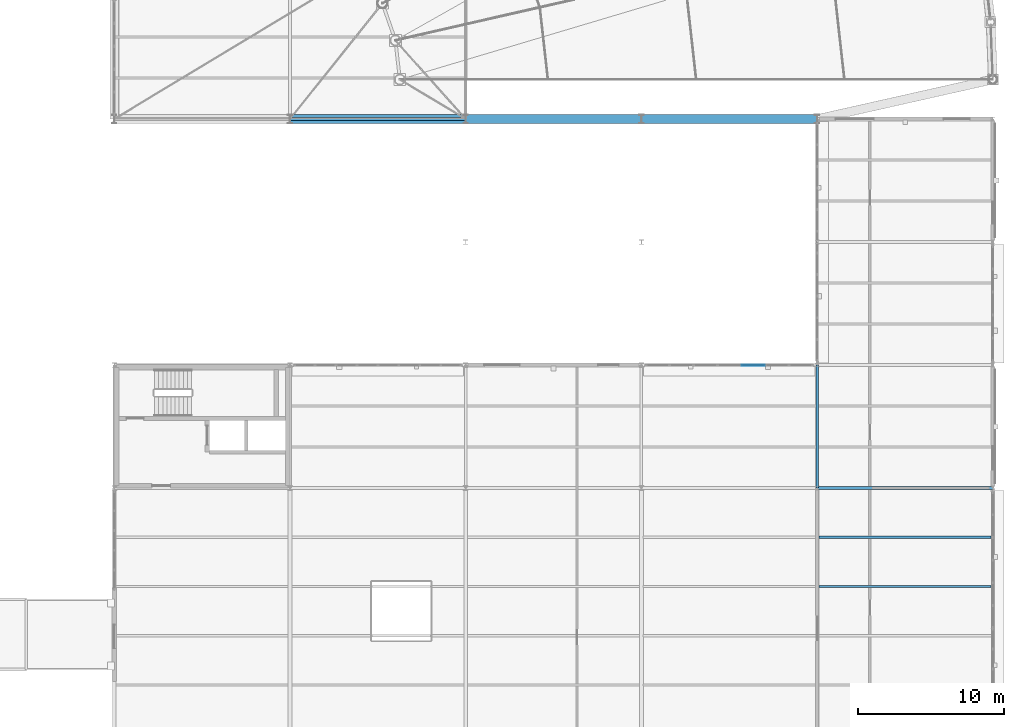
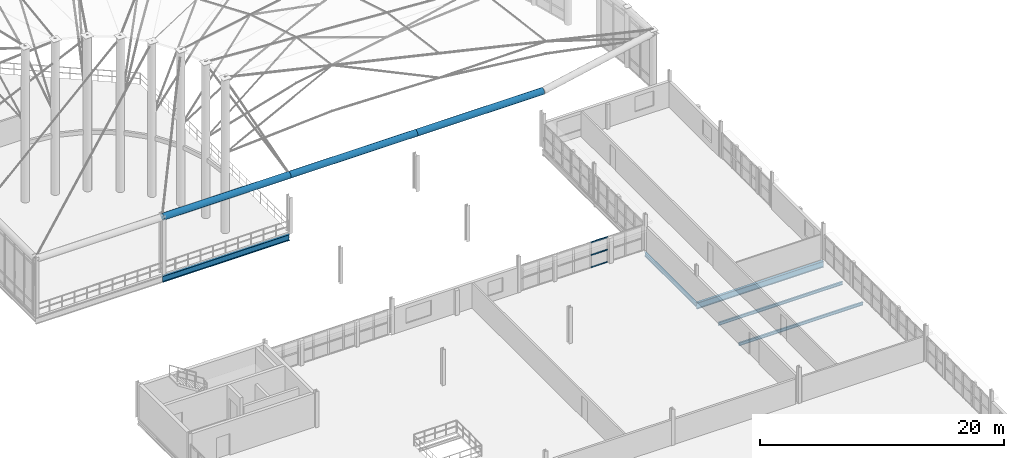
# One storey, part 52 of 101: 8 beams, 3 members, 1 element without a shape of its own.
"""IFC4 building model written with IfcOpenShell, lengths in metres."""

from ifc_helpers import new_model, si_unit, direction, frame, origin, origin_2d, place, context, subcontext, project, spatial, rectangle, hollow_circle, i_section, extrude, material, layer, layer_set, material_profile, profile_set, type_object, element, aggregate, save


model = new_model("IFC4")

# Units and contexts
model_context = context("Model", 3, precision=1e-05, world=origin(), true_north=direction((0.0, 1.0)))
body_context = subcontext(model_context, "Body", "Model", "MODEL_VIEW")
ifc_project = project(units=[si_unit("LENGTHUNIT", "METRE"), si_unit("AREAUNIT", "SQUARE_METRE"), si_unit("VOLUMEUNIT", "CUBIC_METRE"), si_unit("PLANEANGLEUNIT", "RADIAN"), si_unit("MASSUNIT", "GRAM", prefix="KILO"), si_unit("THERMODYNAMICTEMPERATUREUNIT", "KELVIN"), si_unit("POWERUNIT", "WATT")], contexts=[model_context])

# Site, building, storey
site_placement = place(None, origin())
site = spatial("IfcSite", under=ifc_project, at=site_placement, CompositionType="ELEMENT")
building_placement = place(site_placement, origin())
building = spatial("IfcBuilding", under=site, at=building_placement, Name="Tembeka Court Mobility Hub", CompositionType="ELEMENT")
storey_placement = place(building_placement, frame((0.0, 0.0, 5.39990234375)))
storey = spatial("IfcBuildingStorey", under=building, at=storey_placement, Name="L01", CompositionType="ELEMENT", Elevation=5.39990234375)

# Beams
ifc_material_1 = material(Name="Steel S355", Category="steel")
ifc_material_profile_1 = material_profile(ifc_material_1, i_section(OverallWidth=0.177978515625, OverallDepth=0.406005859375, WebThickness=0.0078125, FlangeThickness=0.0126953125, FilletRadius=0.01025390625, at=origin_2d()), Name="UKB 406x178x60")
ifc_profile_set_1 = profile_set([ifc_material_profile_1], Name="Steel S355")
beam_type_1 = type_object("IfcBeamType", Name="BM-B02", PredefinedType="BEAM", material=ifc_profile_set_1)
beam_placement = place(storey_placement, frame((164.39990234375, 38.39990234375, -0.392822265625), z_axis=(0.0, 1.0, 0.0), x_axis=(-1.0, 0.0, 0.0)))
element("IfcBeam", 1, at=beam_placement, inside=storey, type_object=beam_type_1, Name="Beam B02 (BM-L01-Y0902)", PredefinedType="BEAM", context=body_context, shape_type="SweptSolid", body=[
    extrude(i_section(OverallWidth=0.177978515625, OverallDepth=0.406005859375, WebThickness=0.0078125, FlangeThickness=0.0126953125, FilletRadius=0.01025390625, at=origin_2d()), origin(), (0.0, 0.0, 1.0), 8.400146484375),
])
ifc_material_profile_2 = material_profile(ifc_material_1, i_section(OverallWidth=0.22900390625, OverallDepth=0.612060546875, WebThickness=0.011962890625, FlangeThickness=0.01953125, FilletRadius=0.0126953125, at=origin_2d()), Name="UKB 610x229x125")
ifc_profile_set_2 = profile_set([ifc_material_profile_2], Name="Steel S355")
beam_type_2 = type_object("IfcBeamType", Name="BM-G02", PredefinedType="USERDEFINED", material=ifc_profile_set_2)
for number, where, z_axis, x_axis, name in (
    (2, (164.39990234375, 38.39990234375, -0.495849609375), (1.0, 0.0, 0.0), (0.0, 1.0, 0.0), "Beam G02 (BM-L01-X0664)"),
    (3, (128.39990234375, 63.60009765625, -0.495849609375), (1.0, 0.0, 0.0), (0.0, 1.0, 0.0), "Beam G02 (BM-L01-X0703)"),
):
    element("IfcBeam", number, at=place(storey_placement, frame(where, z_axis=z_axis, x_axis=x_axis)), inside=storey, type_object=beam_type_2, Name=name, ObjectType="GIRDER", PredefinedType="USERDEFINED", context=body_context, shape_type="SweptSolid", body=[
        extrude(i_section(OverallWidth=0.22900390625, OverallDepth=0.612060546875, WebThickness=0.011962890625, FlangeThickness=0.01953125, FilletRadius=0.0126953125, at=origin_2d()), origin(), (0.0, 0.0, 1.0), 12.0),
    ])
ifc_material_profile_3 = material_profile(ifc_material_1, i_section(OverallWidth=0.14990234375, OverallDepth=0.300048828125, WebThickness=0.007080078125, FlangeThickness=0.0107421875, FilletRadius=0.014892578125, at=origin_2d()), Name="IPE 300")
ifc_profile_set_3 = profile_set([ifc_material_profile_3], Name="Steel S355")
beam_type_3 = type_object("IfcBeamType", Name="BM-J04", PredefinedType="JOIST", material=ifc_profile_set_3)
for number, where, z_axis, x_axis, name in (
    (4, (164.52197265625, 31.679931640625, -0.33984375), (1.0, 0.0, 0.0), (0.0, 1.0, 0.0), "Beam J04 (JST-L01-1162)"),
    (5, (164.52197265625, 35.0400390625, -0.33984375), (1.0, 0.0, 0.0), (0.0, 1.0, 0.0), "Beam J04 (JST-L01-1163)"),
):
    element("IfcBeam", number, at=place(storey_placement, frame(where, z_axis=z_axis, x_axis=x_axis)), inside=storey, type_object=beam_type_3, Name=name, PredefinedType="JOIST", context=body_context, shape_type="SweptSolid", body=[
        extrude(i_section(OverallWidth=0.14990234375, OverallDepth=0.300048828125, WebThickness=0.007080078125, FlangeThickness=0.0107421875, FilletRadius=0.014892578125, at=origin_2d()), origin(), (0.0, 0.0, 1.0), 11.756103515625),
    ])
ifc_material_profile_4 = material_profile(ifc_material_1, hollow_circle(Radius=0.304931640625, WallThickness=0.02001953125, at=origin_2d()), Name="CHS 610x20")
ifc_profile_set_4 = profile_set([ifc_material_profile_4], Name="Steel S355")
beam_type_4 = type_object("IfcBeamType", Name="BM-RB01", PredefinedType="BEAM", material=ifc_profile_set_4)
for number, where, z_axis, x_axis, name in (
    (6, (128.39990234375, 63.60009765625, 5.695068359375), (1.0, 0.0, 0.0), (0.0, 1.0, 0.0), "Concourse inner chord ring beam RB01-CH09"),
    (7, (140.39990234375, 63.60009765625, 5.695068359375), (1.0, 0.0, 0.0), (0.0, 1.0, 0.0), "Concourse inner chord ring beam RB01-CH10"),
    (8, (152.39990234375, 63.60009765625, 5.695068359375), (1.0, 0.0, 0.0), (0.0, 1.0, 0.0), "Concourse inner chord ring beam RB01-CH11"),
):
    element("IfcBeam", number, at=place(storey_placement, frame(where, z_axis=z_axis, x_axis=x_axis)), inside=storey, type_object=beam_type_4, Name=name, PredefinedType="BEAM", context=body_context, shape_type="SweptSolid", body=[
        extrude(hollow_circle(Radius=0.304931640625, WallThickness=0.02001953125, at=origin_2d()), origin(), (0.0, 0.0, 1.0), 12.0),
    ])

# Curtain wall, members
ifc_material_2 = material(Name="Anodised aluminium 6063-T6", Category="aluminium")
ifc_layer = layer(ifc_material_2, 0.159912109375)
ifc_layer_set = layer_set([ifc_layer], Name="Anodised aluminium 6063-T6")
curtain_wall_type = type_object("IfcCurtainWallType", Name="CW-SYS41", PredefinedType="USERDEFINED", material=ifc_layer_set)
curtain_wall_placement = place(storey_placement, origin())
curtain_wall = element("IfcCurtainWall", 9, at=curtain_wall_placement, inside=storey, type_object=curtain_wall_type, Name="Unitised curtain wall CW41 (CW-L01-116)", ObjectType="UNITISED GLAZING", PredefinedType="USERDEFINED")
ifc_material_profile_5 = material_profile(ifc_material_2, rectangle(XDim=0.06494140625, YDim=0.1201171875, at=origin_2d()), Name="ALU-TRN 65x120")
ifc_profile_set_5 = profile_set([ifc_material_profile_5], Name="Anodised aluminium 6063-T6")
member_type = type_object("IfcMemberType", Name="CW-TRN01", PredefinedType="USERDEFINED", material=ifc_profile_set_5)
member_1_placement = place(storey_placement, frame((159.249755859375, 46.800048828125, 0.03271484375), z_axis=(1.0, 0.0, 0.0), x_axis=(0.0, 1.0, 0.0)))
member_1 = element("IfcMember", 10, at=member_1_placement, type_object=member_type, Name="CW41 transom 5.1", ObjectType="TRANSOM", PredefinedType="USERDEFINED", context=body_context, shape_type="SweptSolid", body=[
    extrude(rectangle(XDim=0.06494140625, YDim=0.1201171875, at=origin_2d()), origin(), (0.0, 0.0, 1.0), 1.569091796875),
])
member_2_placement = place(storey_placement, frame((159.249755859375, 46.800048828125, 1.267578125), z_axis=(1.0, 0.0, 0.0), x_axis=(0.0, 1.0, 0.0)))
member_2 = element("IfcMember", 11, at=member_2_placement, type_object=member_type, Name="CW41 transom 5.2", ObjectType="TRANSOM", PredefinedType="USERDEFINED", context=body_context, shape_type="SweptSolid", body=[
    extrude(rectangle(XDim=0.06494140625, YDim=0.1201171875, at=origin_2d()), origin(), (0.0, 0.0, 1.0), 1.569091796875),
])
member_3_placement = place(storey_placement, frame((159.249755859375, 46.800048828125, 2.502685546875), z_axis=(1.0, 0.0, 0.0), x_axis=(0.0, 1.0, 0.0)))
member_3 = element("IfcMember", 12, at=member_3_placement, type_object=member_type, Name="CW41 transom 5.3", ObjectType="TRANSOM", PredefinedType="USERDEFINED", context=body_context, shape_type="SweptSolid", body=[
    extrude(rectangle(XDim=0.06494140625, YDim=0.1201171875, at=origin_2d()), origin(), (0.0, 0.0, 1.0), 1.569091796875),
])
aggregate(curtain_wall, [member_1, member_2, member_3])

save(model, "model.ifc")
